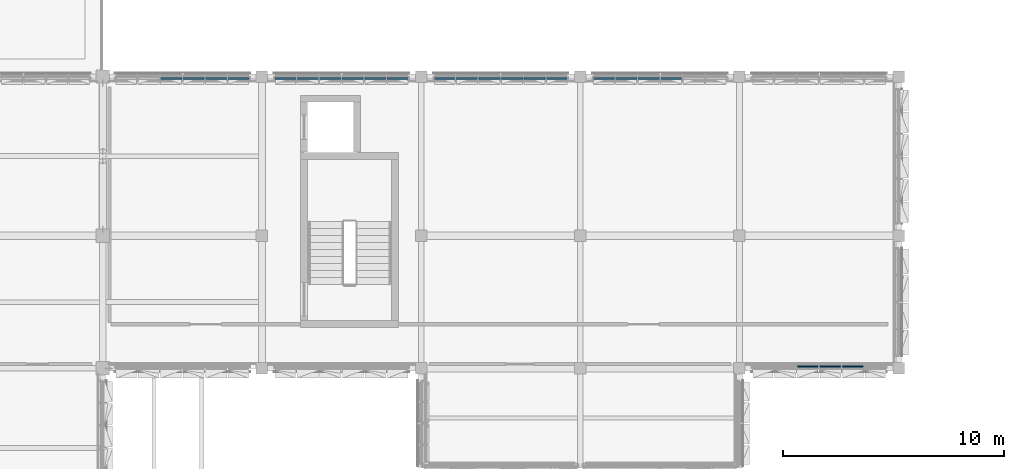
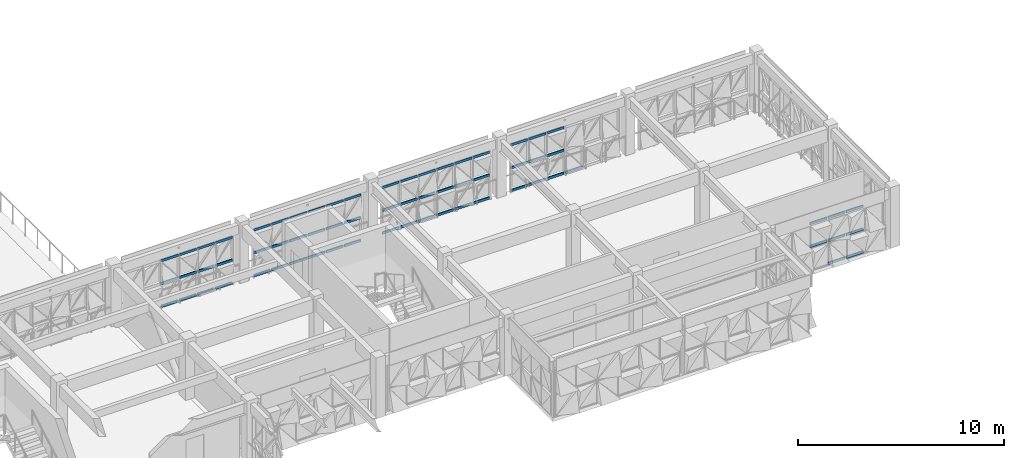
# One storey, part 25 of 99: 66 members, 5 elements without a shape of their own.
"""IFC4 building model written with IfcOpenShell, lengths in metres."""

from ifc_helpers import new_model, si_unit, direction, frame, origin, origin_2d, place, context, subcontext, project, spatial, rectangle, extrude, material, material_profile, profile_set, type_object, element, aggregate, save


model = new_model("IFC4")

# Units and contexts
model_context = context("Model", 3, precision=1e-05, world=origin(), true_north=direction((0.0, 1.0)))
body_context = subcontext(model_context, "Body", "Model", "MODEL_VIEW")
ifc_project = project(units=[si_unit("LENGTHUNIT", "METRE"), si_unit("AREAUNIT", "SQUARE_METRE"), si_unit("VOLUMEUNIT", "CUBIC_METRE"), si_unit("PLANEANGLEUNIT", "RADIAN"), si_unit("MASSUNIT", "GRAM", prefix="KILO")], contexts=[model_context])

# Site, building, storey
site_placement = place(None, origin())
site = spatial("IfcSite", under=ifc_project, at=site_placement, CompositionType="ELEMENT")
building_placement = place(site_placement, origin())
building = spatial("IfcBuilding", under=site, at=building_placement, Name="Alvorim Cloister Faculty of Sciences", CompositionType="ELEMENT")
storey_placement = place(building_placement, frame((0.0, 0.0, 12.14990234375)))
storey = spatial("IfcBuildingStorey", under=building, at=storey_placement, Name="L03", CompositionType="ELEMENT", Elevation=12.14990234375)

# Curtain wall, members
ifc_material_1 = material(Name="Aluminium and Low-E Glass Curtain Wall", Category="aluminium")
curtain_wall_type = type_object("IfcCurtainWallType", Name="CW-TRI-6120x2850", PredefinedType="USERDEFINED", material=ifc_material_1)
curtain_wall_1_placement = place(storey_placement, origin())
curtain_wall_1 = element("IfcCurtainWall", 1, at=curtain_wall_1_placement, inside=storey, type_object=curtain_wall_type, Name="L03 Diagonal Cassette Curtain Wall CW-0125", ObjectType="UNITISED CURTAIN WALL", PredefinedType="USERDEFINED")
ifc_material_2 = material(Name="Aluminium Alloy 6063-T6", Category="aluminium")
ifc_material_profile = material_profile(ifc_material_2, rectangle(XDim=0.06494140625, YDim=0.139892578125, at=origin_2d()), Name="ALU-TRN-65x140")
ifc_profile_set = profile_set([ifc_material_profile], Name="Aluminium Alloy 6063-T6")
member_type = type_object("IfcMemberType", Name="CW-TRN-65x140", PredefinedType="USERDEFINED", material=ifc_profile_set)
member_1_placement = place(storey_placement, frame((31.41259765625, 56.31005859375, 0.070068359375), z_axis=(1.0, 0.0, 0.0), x_axis=(0.0, 1.0, 0.0)))
member_1 = element("IfcMember", 2, at=member_1_placement, type_object=member_type, Name="CW-0125 Transom 3.1", ObjectType="TRANSOM", PredefinedType="USERDEFINED", context=body_context, shape_type="SweptSolid", body=[
    extrude(rectangle(XDim=0.06494140625, YDim=0.139892578125, at=origin_2d()), origin(), (0.0, 0.0, 1.0), 0.954833984375),
])
member_2_placement = place(storey_placement, frame((31.41259765625, 56.31005859375, 1.425048828125), z_axis=(1.0, 0.0, 0.0), x_axis=(0.0, 1.0, 0.0)))
member_2 = element("IfcMember", 3, at=member_2_placement, type_object=member_type, Name="CW-0125 Transom 3.2", ObjectType="TRANSOM", PredefinedType="USERDEFINED", context=body_context, shape_type="SweptSolid", body=[
    extrude(rectangle(XDim=0.06494140625, YDim=0.139892578125, at=origin_2d()), origin(), (0.0, 0.0, 1.0), 0.954833984375),
])
member_3_placement = place(storey_placement, frame((31.41259765625, 56.31005859375, 2.780029296875), z_axis=(1.0, 0.0, 0.0), x_axis=(0.0, 1.0, 0.0)))
member_3 = element("IfcMember", 4, at=member_3_placement, type_object=member_type, Name="CW-0125 Transom 3.3", ObjectType="TRANSOM", PredefinedType="USERDEFINED", context=body_context, shape_type="SweptSolid", body=[
    extrude(rectangle(XDim=0.06494140625, YDim=0.139892578125, at=origin_2d()), origin(), (0.0, 0.0, 1.0), 0.954833984375),
])
member_4_placement = place(storey_placement, frame((32.4326171875, 56.31005859375, 0.070068359375), z_axis=(1.0, 0.0, 0.0), x_axis=(0.0, 1.0, 0.0)))
member_4 = element("IfcMember", 5, at=member_4_placement, type_object=member_type, Name="CW-0125 Transom 4.1", ObjectType="TRANSOM", PredefinedType="USERDEFINED", context=body_context, shape_type="SweptSolid", body=[
    extrude(rectangle(XDim=0.06494140625, YDim=0.139892578125, at=origin_2d()), origin(), (0.0, 0.0, 1.0), 0.954833984375),
])
member_5_placement = place(storey_placement, frame((32.4326171875, 56.31005859375, 1.425048828125), z_axis=(1.0, 0.0, 0.0), x_axis=(0.0, 1.0, 0.0)))
member_5 = element("IfcMember", 6, at=member_5_placement, type_object=member_type, Name="CW-0125 Transom 4.2", ObjectType="TRANSOM", PredefinedType="USERDEFINED", context=body_context, shape_type="SweptSolid", body=[
    extrude(rectangle(XDim=0.06494140625, YDim=0.139892578125, at=origin_2d()), origin(), (0.0, 0.0, 1.0), 0.954833984375),
])
member_6_placement = place(storey_placement, frame((32.4326171875, 56.31005859375, 2.780029296875), z_axis=(1.0, 0.0, 0.0), x_axis=(0.0, 1.0, 0.0)))
member_6 = element("IfcMember", 7, at=member_6_placement, type_object=member_type, Name="CW-0125 Transom 4.3", ObjectType="TRANSOM", PredefinedType="USERDEFINED", context=body_context, shape_type="SweptSolid", body=[
    extrude(rectangle(XDim=0.06494140625, YDim=0.139892578125, at=origin_2d()), origin(), (0.0, 0.0, 1.0), 0.954833984375),
])
member_7_placement = place(storey_placement, frame((33.452392578125, 56.31005859375, 0.070068359375), z_axis=(1.0, 0.0, 0.0), x_axis=(0.0, 1.0, 0.0)))
member_7 = element("IfcMember", 8, at=member_7_placement, type_object=member_type, Name="CW-0125 Transom 5.1", ObjectType="TRANSOM", PredefinedType="USERDEFINED", context=body_context, shape_type="SweptSolid", body=[
    extrude(rectangle(XDim=0.06494140625, YDim=0.139892578125, at=origin_2d()), origin(), (0.0, 0.0, 1.0), 0.955078125),
])
member_8_placement = place(storey_placement, frame((33.452392578125, 56.31005859375, 1.425048828125), z_axis=(1.0, 0.0, 0.0), x_axis=(0.0, 1.0, 0.0)))
member_8 = element("IfcMember", 9, at=member_8_placement, type_object=member_type, Name="CW-0125 Transom 5.2", ObjectType="TRANSOM", PredefinedType="USERDEFINED", context=body_context, shape_type="SweptSolid", body=[
    extrude(rectangle(XDim=0.06494140625, YDim=0.139892578125, at=origin_2d()), origin(), (0.0, 0.0, 1.0), 0.955078125),
])
member_9_placement = place(storey_placement, frame((33.452392578125, 56.31005859375, 2.780029296875), z_axis=(1.0, 0.0, 0.0), x_axis=(0.0, 1.0, 0.0)))
member_9 = element("IfcMember", 10, at=member_9_placement, type_object=member_type, Name="CW-0125 Transom 5.3", ObjectType="TRANSOM", PredefinedType="USERDEFINED", context=body_context, shape_type="SweptSolid", body=[
    extrude(rectangle(XDim=0.06494140625, YDim=0.139892578125, at=origin_2d()), origin(), (0.0, 0.0, 1.0), 0.955078125),
])
member_10_placement = place(storey_placement, frame((34.472412109375, 56.31005859375, 0.070068359375), z_axis=(1.0, 0.0, 0.0), x_axis=(0.0, 1.0, 0.0)))
member_10 = element("IfcMember", 11, at=member_10_placement, type_object=member_type, Name="CW-0125 Transom 6.1", ObjectType="TRANSOM", PredefinedType="USERDEFINED", context=body_context, shape_type="SweptSolid", body=[
    extrude(rectangle(XDim=0.06494140625, YDim=0.139892578125, at=origin_2d()), origin(), (0.0, 0.0, 1.0), 0.922607421875),
])
member_11_placement = place(storey_placement, frame((34.472412109375, 56.31005859375, 1.425048828125), z_axis=(1.0, 0.0, 0.0), x_axis=(0.0, 1.0, 0.0)))
member_11 = element("IfcMember", 12, at=member_11_placement, type_object=member_type, Name="CW-0125 Transom 6.2", ObjectType="TRANSOM", PredefinedType="USERDEFINED", context=body_context, shape_type="SweptSolid", body=[
    extrude(rectangle(XDim=0.06494140625, YDim=0.139892578125, at=origin_2d()), origin(), (0.0, 0.0, 1.0), 0.922607421875),
])
member_12_placement = place(storey_placement, frame((34.472412109375, 56.31005859375, 2.780029296875), z_axis=(1.0, 0.0, 0.0), x_axis=(0.0, 1.0, 0.0)))
member_12 = element("IfcMember", 13, at=member_12_placement, type_object=member_type, Name="CW-0125 Transom 6.3", ObjectType="TRANSOM", PredefinedType="USERDEFINED", context=body_context, shape_type="SweptSolid", body=[
    extrude(rectangle(XDim=0.06494140625, YDim=0.139892578125, at=origin_2d()), origin(), (0.0, 0.0, 1.0), 0.922607421875),
])
aggregate(curtain_wall_1, [member_1, member_2, member_3, member_4, member_5, member_6, member_7, member_8, member_9, member_10, member_11, member_12])

curtain_wall_2_placement = place(storey_placement, origin())
curtain_wall_2 = element("IfcCurtainWall", 14, at=curtain_wall_2_placement, inside=storey, type_object=curtain_wall_type, Name="L03 Diagonal Cassette Curtain Wall CW-0126", ObjectType="UNITISED CURTAIN WALL", PredefinedType="USERDEFINED")
member_13_placement = place(storey_placement, frame((36.60498046875, 56.31005859375, 0.070068359375), z_axis=(1.0, 0.0, 0.0), x_axis=(0.0, 1.0, 0.0)))
member_13 = element("IfcMember", 15, at=member_13_placement, type_object=member_type, Name="CW-0126 Transom 1.1", ObjectType="TRANSOM", PredefinedType="USERDEFINED", context=body_context, shape_type="SweptSolid", body=[
    extrude(rectangle(XDim=0.06494140625, YDim=0.139892578125, at=origin_2d()), origin(), (0.0, 0.0, 1.0), 0.922607421875),
])
member_14_placement = place(storey_placement, frame((36.60498046875, 56.31005859375, 1.425048828125), z_axis=(1.0, 0.0, 0.0), x_axis=(0.0, 1.0, 0.0)))
member_14 = element("IfcMember", 16, at=member_14_placement, type_object=member_type, Name="CW-0126 Transom 1.2", ObjectType="TRANSOM", PredefinedType="USERDEFINED", context=body_context, shape_type="SweptSolid", body=[
    extrude(rectangle(XDim=0.06494140625, YDim=0.139892578125, at=origin_2d()), origin(), (0.0, 0.0, 1.0), 0.922607421875),
])
member_15_placement = place(storey_placement, frame((36.60498046875, 56.31005859375, 2.780029296875), z_axis=(1.0, 0.0, 0.0), x_axis=(0.0, 1.0, 0.0)))
member_15 = element("IfcMember", 17, at=member_15_placement, type_object=member_type, Name="CW-0126 Transom 1.3", ObjectType="TRANSOM", PredefinedType="USERDEFINED", context=body_context, shape_type="SweptSolid", body=[
    extrude(rectangle(XDim=0.06494140625, YDim=0.139892578125, at=origin_2d()), origin(), (0.0, 0.0, 1.0), 0.922607421875),
])
member_16_placement = place(storey_placement, frame((37.592529296875, 56.31005859375, 0.070068359375), z_axis=(1.0, 0.0, 0.0), x_axis=(0.0, 1.0, 0.0)))
member_16 = element("IfcMember", 18, at=member_16_placement, type_object=member_type, Name="CW-0126 Transom 2.1", ObjectType="TRANSOM", PredefinedType="USERDEFINED", context=body_context, shape_type="SweptSolid", body=[
    extrude(rectangle(XDim=0.06494140625, YDim=0.139892578125, at=origin_2d()), origin(), (0.0, 0.0, 1.0), 0.955078125),
])
member_17_placement = place(storey_placement, frame((37.592529296875, 56.31005859375, 1.425048828125), z_axis=(1.0, 0.0, 0.0), x_axis=(0.0, 1.0, 0.0)))
member_17 = element("IfcMember", 19, at=member_17_placement, type_object=member_type, Name="CW-0126 Transom 2.2", ObjectType="TRANSOM", PredefinedType="USERDEFINED", context=body_context, shape_type="SweptSolid", body=[
    extrude(rectangle(XDim=0.06494140625, YDim=0.139892578125, at=origin_2d()), origin(), (0.0, 0.0, 1.0), 0.955078125),
])
member_18_placement = place(storey_placement, frame((37.592529296875, 56.31005859375, 2.780029296875), z_axis=(1.0, 0.0, 0.0), x_axis=(0.0, 1.0, 0.0)))
member_18 = element("IfcMember", 20, at=member_18_placement, type_object=member_type, Name="CW-0126 Transom 2.3", ObjectType="TRANSOM", PredefinedType="USERDEFINED", context=body_context, shape_type="SweptSolid", body=[
    extrude(rectangle(XDim=0.06494140625, YDim=0.139892578125, at=origin_2d()), origin(), (0.0, 0.0, 1.0), 0.955078125),
])
member_19_placement = place(storey_placement, frame((38.612548828125, 56.31005859375, 0.070068359375), z_axis=(1.0, 0.0, 0.0), x_axis=(0.0, 1.0, 0.0)))
member_19 = element("IfcMember", 21, at=member_19_placement, type_object=member_type, Name="CW-0126 Transom 3.1", ObjectType="TRANSOM", PredefinedType="USERDEFINED", context=body_context, shape_type="SweptSolid", body=[
    extrude(rectangle(XDim=0.06494140625, YDim=0.139892578125, at=origin_2d()), origin(), (0.0, 0.0, 1.0), 0.954833984375),
])
member_20_placement = place(storey_placement, frame((38.612548828125, 56.31005859375, 1.425048828125), z_axis=(1.0, 0.0, 0.0), x_axis=(0.0, 1.0, 0.0)))
member_20 = element("IfcMember", 22, at=member_20_placement, type_object=member_type, Name="CW-0126 Transom 3.2", ObjectType="TRANSOM", PredefinedType="USERDEFINED", context=body_context, shape_type="SweptSolid", body=[
    extrude(rectangle(XDim=0.06494140625, YDim=0.139892578125, at=origin_2d()), origin(), (0.0, 0.0, 1.0), 0.954833984375),
])
member_21_placement = place(storey_placement, frame((38.612548828125, 56.31005859375, 2.780029296875), z_axis=(1.0, 0.0, 0.0), x_axis=(0.0, 1.0, 0.0)))
member_21 = element("IfcMember", 23, at=member_21_placement, type_object=member_type, Name="CW-0126 Transom 3.3", ObjectType="TRANSOM", PredefinedType="USERDEFINED", context=body_context, shape_type="SweptSolid", body=[
    extrude(rectangle(XDim=0.06494140625, YDim=0.139892578125, at=origin_2d()), origin(), (0.0, 0.0, 1.0), 0.954833984375),
])
member_22_placement = place(storey_placement, frame((39.632568359375, 56.31005859375, 0.070068359375), z_axis=(1.0, 0.0, 0.0), x_axis=(0.0, 1.0, 0.0)))
member_22 = element("IfcMember", 24, at=member_22_placement, type_object=member_type, Name="CW-0126 Transom 4.1", ObjectType="TRANSOM", PredefinedType="USERDEFINED", context=body_context, shape_type="SweptSolid", body=[
    extrude(rectangle(XDim=0.06494140625, YDim=0.139892578125, at=origin_2d()), origin(), (0.0, 0.0, 1.0), 0.954833984375),
])
member_23_placement = place(storey_placement, frame((39.632568359375, 56.31005859375, 1.425048828125), z_axis=(1.0, 0.0, 0.0), x_axis=(0.0, 1.0, 0.0)))
member_23 = element("IfcMember", 25, at=member_23_placement, type_object=member_type, Name="CW-0126 Transom 4.2", ObjectType="TRANSOM", PredefinedType="USERDEFINED", context=body_context, shape_type="SweptSolid", body=[
    extrude(rectangle(XDim=0.06494140625, YDim=0.139892578125, at=origin_2d()), origin(), (0.0, 0.0, 1.0), 0.954833984375),
])
member_24_placement = place(storey_placement, frame((39.632568359375, 56.31005859375, 2.780029296875), z_axis=(1.0, 0.0, 0.0), x_axis=(0.0, 1.0, 0.0)))
member_24 = element("IfcMember", 26, at=member_24_placement, type_object=member_type, Name="CW-0126 Transom 4.3", ObjectType="TRANSOM", PredefinedType="USERDEFINED", context=body_context, shape_type="SweptSolid", body=[
    extrude(rectangle(XDim=0.06494140625, YDim=0.139892578125, at=origin_2d()), origin(), (0.0, 0.0, 1.0), 0.954833984375),
])
member_25_placement = place(storey_placement, frame((40.652587890625, 56.31005859375, 0.070068359375), z_axis=(1.0, 0.0, 0.0), x_axis=(0.0, 1.0, 0.0)))
member_25 = element("IfcMember", 27, at=member_25_placement, type_object=member_type, Name="CW-0126 Transom 5.1", ObjectType="TRANSOM", PredefinedType="USERDEFINED", context=body_context, shape_type="SweptSolid", body=[
    extrude(rectangle(XDim=0.06494140625, YDim=0.139892578125, at=origin_2d()), origin(), (0.0, 0.0, 1.0), 0.954833984375),
])
member_26_placement = place(storey_placement, frame((40.652587890625, 56.31005859375, 1.425048828125), z_axis=(1.0, 0.0, 0.0), x_axis=(0.0, 1.0, 0.0)))
member_26 = element("IfcMember", 28, at=member_26_placement, type_object=member_type, Name="CW-0126 Transom 5.2", ObjectType="TRANSOM", PredefinedType="USERDEFINED", context=body_context, shape_type="SweptSolid", body=[
    extrude(rectangle(XDim=0.06494140625, YDim=0.139892578125, at=origin_2d()), origin(), (0.0, 0.0, 1.0), 0.954833984375),
])
member_27_placement = place(storey_placement, frame((40.652587890625, 56.31005859375, 2.780029296875), z_axis=(1.0, 0.0, 0.0), x_axis=(0.0, 1.0, 0.0)))
member_27 = element("IfcMember", 29, at=member_27_placement, type_object=member_type, Name="CW-0126 Transom 5.3", ObjectType="TRANSOM", PredefinedType="USERDEFINED", context=body_context, shape_type="SweptSolid", body=[
    extrude(rectangle(XDim=0.06494140625, YDim=0.139892578125, at=origin_2d()), origin(), (0.0, 0.0, 1.0), 0.954833984375),
])
member_28_placement = place(storey_placement, frame((41.672607421875, 56.31005859375, 0.070068359375), z_axis=(1.0, 0.0, 0.0), x_axis=(0.0, 1.0, 0.0)))
member_28 = element("IfcMember", 30, at=member_28_placement, type_object=member_type, Name="CW-0126 Transom 6.1", ObjectType="TRANSOM", PredefinedType="USERDEFINED", context=body_context, shape_type="SweptSolid", body=[
    extrude(rectangle(XDim=0.06494140625, YDim=0.139892578125, at=origin_2d()), origin(), (0.0, 0.0, 1.0), 0.92236328125),
])
member_29_placement = place(storey_placement, frame((41.672607421875, 56.31005859375, 1.425048828125), z_axis=(1.0, 0.0, 0.0), x_axis=(0.0, 1.0, 0.0)))
member_29 = element("IfcMember", 31, at=member_29_placement, type_object=member_type, Name="CW-0126 Transom 6.2", ObjectType="TRANSOM", PredefinedType="USERDEFINED", context=body_context, shape_type="SweptSolid", body=[
    extrude(rectangle(XDim=0.06494140625, YDim=0.139892578125, at=origin_2d()), origin(), (0.0, 0.0, 1.0), 0.92236328125),
])
member_30_placement = place(storey_placement, frame((41.672607421875, 56.31005859375, 2.780029296875), z_axis=(1.0, 0.0, 0.0), x_axis=(0.0, 1.0, 0.0)))
member_30 = element("IfcMember", 32, at=member_30_placement, type_object=member_type, Name="CW-0126 Transom 6.3", ObjectType="TRANSOM", PredefinedType="USERDEFINED", context=body_context, shape_type="SweptSolid", body=[
    extrude(rectangle(XDim=0.06494140625, YDim=0.139892578125, at=origin_2d()), origin(), (0.0, 0.0, 1.0), 0.92236328125),
])
aggregate(curtain_wall_2, [member_13, member_14, member_15, member_16, member_17, member_18, member_19, member_20, member_21, member_22, member_23, member_24, member_25, member_26, member_27, member_28, member_29, member_30])

curtain_wall_3_placement = place(storey_placement, origin())
curtain_wall_3 = element("IfcCurtainWall", 33, at=curtain_wall_3_placement, inside=storey, type_object=curtain_wall_type, Name="L03 Diagonal Cassette Curtain Wall CW-0127", ObjectType="UNITISED CURTAIN WALL", PredefinedType="USERDEFINED")
member_31_placement = place(storey_placement, frame((43.804931640625, 56.31005859375, 0.070068359375), z_axis=(1.0, 0.0, 0.0), x_axis=(0.0, 1.0, 0.0)))
member_31 = element("IfcMember", 34, at=member_31_placement, type_object=member_type, Name="CW-0127 Transom 1.1", ObjectType="TRANSOM", PredefinedType="USERDEFINED", context=body_context, shape_type="SweptSolid", body=[
    extrude(rectangle(XDim=0.06494140625, YDim=0.139892578125, at=origin_2d()), origin(), (0.0, 0.0, 1.0), 0.922607421875),
])
member_32_placement = place(storey_placement, frame((43.804931640625, 56.31005859375, 1.425048828125), z_axis=(1.0, 0.0, 0.0), x_axis=(0.0, 1.0, 0.0)))
member_32 = element("IfcMember", 35, at=member_32_placement, type_object=member_type, Name="CW-0127 Transom 1.2", ObjectType="TRANSOM", PredefinedType="USERDEFINED", context=body_context, shape_type="SweptSolid", body=[
    extrude(rectangle(XDim=0.06494140625, YDim=0.139892578125, at=origin_2d()), origin(), (0.0, 0.0, 1.0), 0.922607421875),
])
member_33_placement = place(storey_placement, frame((43.804931640625, 56.31005859375, 2.780029296875), z_axis=(1.0, 0.0, 0.0), x_axis=(0.0, 1.0, 0.0)))
member_33 = element("IfcMember", 36, at=member_33_placement, type_object=member_type, Name="CW-0127 Transom 1.3", ObjectType="TRANSOM", PredefinedType="USERDEFINED", context=body_context, shape_type="SweptSolid", body=[
    extrude(rectangle(XDim=0.06494140625, YDim=0.139892578125, at=origin_2d()), origin(), (0.0, 0.0, 1.0), 0.922607421875),
])
member_34_placement = place(storey_placement, frame((44.79248046875, 56.31005859375, 0.070068359375), z_axis=(1.0, 0.0, 0.0), x_axis=(0.0, 1.0, 0.0)))
member_34 = element("IfcMember", 37, at=member_34_placement, type_object=member_type, Name="CW-0127 Transom 2.1", ObjectType="TRANSOM", PredefinedType="USERDEFINED", context=body_context, shape_type="SweptSolid", body=[
    extrude(rectangle(XDim=0.06494140625, YDim=0.139892578125, at=origin_2d()), origin(), (0.0, 0.0, 1.0), 0.955078125),
])
member_35_placement = place(storey_placement, frame((44.79248046875, 56.31005859375, 1.425048828125), z_axis=(1.0, 0.0, 0.0), x_axis=(0.0, 1.0, 0.0)))
member_35 = element("IfcMember", 38, at=member_35_placement, type_object=member_type, Name="CW-0127 Transom 2.2", ObjectType="TRANSOM", PredefinedType="USERDEFINED", context=body_context, shape_type="SweptSolid", body=[
    extrude(rectangle(XDim=0.06494140625, YDim=0.139892578125, at=origin_2d()), origin(), (0.0, 0.0, 1.0), 0.955078125),
])
member_36_placement = place(storey_placement, frame((44.79248046875, 56.31005859375, 2.780029296875), z_axis=(1.0, 0.0, 0.0), x_axis=(0.0, 1.0, 0.0)))
member_36 = element("IfcMember", 39, at=member_36_placement, type_object=member_type, Name="CW-0127 Transom 2.3", ObjectType="TRANSOM", PredefinedType="USERDEFINED", context=body_context, shape_type="SweptSolid", body=[
    extrude(rectangle(XDim=0.06494140625, YDim=0.139892578125, at=origin_2d()), origin(), (0.0, 0.0, 1.0), 0.955078125),
])
member_37_placement = place(storey_placement, frame((45.8125, 56.31005859375, 0.070068359375), z_axis=(1.0, 0.0, 0.0), x_axis=(0.0, 1.0, 0.0)))
member_37 = element("IfcMember", 40, at=member_37_placement, type_object=member_type, Name="CW-0127 Transom 3.1", ObjectType="TRANSOM", PredefinedType="USERDEFINED", context=body_context, shape_type="SweptSolid", body=[
    extrude(rectangle(XDim=0.06494140625, YDim=0.139892578125, at=origin_2d()), origin(), (0.0, 0.0, 1.0), 0.955078125),
])
member_38_placement = place(storey_placement, frame((45.8125, 56.31005859375, 1.425048828125), z_axis=(1.0, 0.0, 0.0), x_axis=(0.0, 1.0, 0.0)))
member_38 = element("IfcMember", 41, at=member_38_placement, type_object=member_type, Name="CW-0127 Transom 3.2", ObjectType="TRANSOM", PredefinedType="USERDEFINED", context=body_context, shape_type="SweptSolid", body=[
    extrude(rectangle(XDim=0.06494140625, YDim=0.139892578125, at=origin_2d()), origin(), (0.0, 0.0, 1.0), 0.955078125),
])
member_39_placement = place(storey_placement, frame((45.8125, 56.31005859375, 2.780029296875), z_axis=(1.0, 0.0, 0.0), x_axis=(0.0, 1.0, 0.0)))
member_39 = element("IfcMember", 42, at=member_39_placement, type_object=member_type, Name="CW-0127 Transom 3.3", ObjectType="TRANSOM", PredefinedType="USERDEFINED", context=body_context, shape_type="SweptSolid", body=[
    extrude(rectangle(XDim=0.06494140625, YDim=0.139892578125, at=origin_2d()), origin(), (0.0, 0.0, 1.0), 0.955078125),
])
member_40_placement = place(storey_placement, frame((46.83251953125, 56.31005859375, 0.070068359375), z_axis=(1.0, 0.0, 0.0), x_axis=(0.0, 1.0, 0.0)))
member_40 = element("IfcMember", 43, at=member_40_placement, type_object=member_type, Name="CW-0127 Transom 4.1", ObjectType="TRANSOM", PredefinedType="USERDEFINED", context=body_context, shape_type="SweptSolid", body=[
    extrude(rectangle(XDim=0.06494140625, YDim=0.139892578125, at=origin_2d()), origin(), (0.0, 0.0, 1.0), 0.955078125),
])
member_41_placement = place(storey_placement, frame((46.83251953125, 56.31005859375, 1.425048828125), z_axis=(1.0, 0.0, 0.0), x_axis=(0.0, 1.0, 0.0)))
member_41 = element("IfcMember", 44, at=member_41_placement, type_object=member_type, Name="CW-0127 Transom 4.2", ObjectType="TRANSOM", PredefinedType="USERDEFINED", context=body_context, shape_type="SweptSolid", body=[
    extrude(rectangle(XDim=0.06494140625, YDim=0.139892578125, at=origin_2d()), origin(), (0.0, 0.0, 1.0), 0.955078125),
])
member_42_placement = place(storey_placement, frame((46.83251953125, 56.31005859375, 2.780029296875), z_axis=(1.0, 0.0, 0.0), x_axis=(0.0, 1.0, 0.0)))
member_42 = element("IfcMember", 45, at=member_42_placement, type_object=member_type, Name="CW-0127 Transom 4.3", ObjectType="TRANSOM", PredefinedType="USERDEFINED", context=body_context, shape_type="SweptSolid", body=[
    extrude(rectangle(XDim=0.06494140625, YDim=0.139892578125, at=origin_2d()), origin(), (0.0, 0.0, 1.0), 0.955078125),
])
member_43_placement = place(storey_placement, frame((47.8525390625, 56.31005859375, 0.070068359375), z_axis=(1.0, 0.0, 0.0), x_axis=(0.0, 1.0, 0.0)))
member_43 = element("IfcMember", 46, at=member_43_placement, type_object=member_type, Name="CW-0127 Transom 5.1", ObjectType="TRANSOM", PredefinedType="USERDEFINED", context=body_context, shape_type="SweptSolid", body=[
    extrude(rectangle(XDim=0.06494140625, YDim=0.139892578125, at=origin_2d()), origin(), (0.0, 0.0, 1.0), 0.955078125),
])
member_44_placement = place(storey_placement, frame((47.8525390625, 56.31005859375, 1.425048828125), z_axis=(1.0, 0.0, 0.0), x_axis=(0.0, 1.0, 0.0)))
member_44 = element("IfcMember", 47, at=member_44_placement, type_object=member_type, Name="CW-0127 Transom 5.2", ObjectType="TRANSOM", PredefinedType="USERDEFINED", context=body_context, shape_type="SweptSolid", body=[
    extrude(rectangle(XDim=0.06494140625, YDim=0.139892578125, at=origin_2d()), origin(), (0.0, 0.0, 1.0), 0.955078125),
])
member_45_placement = place(storey_placement, frame((47.8525390625, 56.31005859375, 2.780029296875), z_axis=(1.0, 0.0, 0.0), x_axis=(0.0, 1.0, 0.0)))
member_45 = element("IfcMember", 48, at=member_45_placement, type_object=member_type, Name="CW-0127 Transom 5.3", ObjectType="TRANSOM", PredefinedType="USERDEFINED", context=body_context, shape_type="SweptSolid", body=[
    extrude(rectangle(XDim=0.06494140625, YDim=0.139892578125, at=origin_2d()), origin(), (0.0, 0.0, 1.0), 0.955078125),
])
member_46_placement = place(storey_placement, frame((48.87255859375, 56.31005859375, 0.070068359375), z_axis=(1.0, 0.0, 0.0), x_axis=(0.0, 1.0, 0.0)))
member_46 = element("IfcMember", 49, at=member_46_placement, type_object=member_type, Name="CW-0127 Transom 6.1", ObjectType="TRANSOM", PredefinedType="USERDEFINED", context=body_context, shape_type="SweptSolid", body=[
    extrude(rectangle(XDim=0.06494140625, YDim=0.139892578125, at=origin_2d()), origin(), (0.0, 0.0, 1.0), 0.92236328125),
])
member_47_placement = place(storey_placement, frame((48.87255859375, 56.31005859375, 1.425048828125), z_axis=(1.0, 0.0, 0.0), x_axis=(0.0, 1.0, 0.0)))
member_47 = element("IfcMember", 50, at=member_47_placement, type_object=member_type, Name="CW-0127 Transom 6.2", ObjectType="TRANSOM", PredefinedType="USERDEFINED", context=body_context, shape_type="SweptSolid", body=[
    extrude(rectangle(XDim=0.06494140625, YDim=0.139892578125, at=origin_2d()), origin(), (0.0, 0.0, 1.0), 0.92236328125),
])
member_48_placement = place(storey_placement, frame((48.87255859375, 56.31005859375, 2.780029296875), z_axis=(1.0, 0.0, 0.0), x_axis=(0.0, 1.0, 0.0)))
member_48 = element("IfcMember", 51, at=member_48_placement, type_object=member_type, Name="CW-0127 Transom 6.3", ObjectType="TRANSOM", PredefinedType="USERDEFINED", context=body_context, shape_type="SweptSolid", body=[
    extrude(rectangle(XDim=0.06494140625, YDim=0.139892578125, at=origin_2d()), origin(), (0.0, 0.0, 1.0), 0.92236328125),
])
aggregate(curtain_wall_3, [member_31, member_32, member_33, member_34, member_35, member_36, member_37, member_38, member_39, member_40, member_41, member_42, member_43, member_44, member_45, member_46, member_47, member_48])

curtain_wall_4_placement = place(storey_placement, origin())
curtain_wall_4 = element("IfcCurtainWall", 52, at=curtain_wall_4_placement, inside=storey, type_object=curtain_wall_type, Name="L03 Diagonal Cassette Curtain Wall CW-0128", ObjectType="UNITISED CURTAIN WALL", PredefinedType="USERDEFINED")
member_49_placement = place(storey_placement, frame((51.0048828125, 56.31005859375, 0.070068359375), z_axis=(1.0, 0.0, 0.0), x_axis=(0.0, 1.0, 0.0)))
member_49 = element("IfcMember", 53, at=member_49_placement, type_object=member_type, Name="CW-0128 Transom 1.1", ObjectType="TRANSOM", PredefinedType="USERDEFINED", context=body_context, shape_type="SweptSolid", body=[
    extrude(rectangle(XDim=0.06494140625, YDim=0.139892578125, at=origin_2d()), origin(), (0.0, 0.0, 1.0), 0.922607421875),
])
member_50_placement = place(storey_placement, frame((51.0048828125, 56.31005859375, 1.425048828125), z_axis=(1.0, 0.0, 0.0), x_axis=(0.0, 1.0, 0.0)))
member_50 = element("IfcMember", 54, at=member_50_placement, type_object=member_type, Name="CW-0128 Transom 1.2", ObjectType="TRANSOM", PredefinedType="USERDEFINED", context=body_context, shape_type="SweptSolid", body=[
    extrude(rectangle(XDim=0.06494140625, YDim=0.139892578125, at=origin_2d()), origin(), (0.0, 0.0, 1.0), 0.922607421875),
])
member_51_placement = place(storey_placement, frame((51.0048828125, 56.31005859375, 2.780029296875), z_axis=(1.0, 0.0, 0.0), x_axis=(0.0, 1.0, 0.0)))
member_51 = element("IfcMember", 55, at=member_51_placement, type_object=member_type, Name="CW-0128 Transom 1.3", ObjectType="TRANSOM", PredefinedType="USERDEFINED", context=body_context, shape_type="SweptSolid", body=[
    extrude(rectangle(XDim=0.06494140625, YDim=0.139892578125, at=origin_2d()), origin(), (0.0, 0.0, 1.0), 0.922607421875),
])
member_52_placement = place(storey_placement, frame((51.992431640625, 56.31005859375, 0.070068359375), z_axis=(1.0, 0.0, 0.0), x_axis=(0.0, 1.0, 0.0)))
member_52 = element("IfcMember", 56, at=member_52_placement, type_object=member_type, Name="CW-0128 Transom 2.1", ObjectType="TRANSOM", PredefinedType="USERDEFINED", context=body_context, shape_type="SweptSolid", body=[
    extrude(rectangle(XDim=0.06494140625, YDim=0.139892578125, at=origin_2d()), origin(), (0.0, 0.0, 1.0), 0.955078125),
])
member_53_placement = place(storey_placement, frame((51.992431640625, 56.31005859375, 1.425048828125), z_axis=(1.0, 0.0, 0.0), x_axis=(0.0, 1.0, 0.0)))
member_53 = element("IfcMember", 57, at=member_53_placement, type_object=member_type, Name="CW-0128 Transom 2.2", ObjectType="TRANSOM", PredefinedType="USERDEFINED", context=body_context, shape_type="SweptSolid", body=[
    extrude(rectangle(XDim=0.06494140625, YDim=0.139892578125, at=origin_2d()), origin(), (0.0, 0.0, 1.0), 0.955078125),
])
member_54_placement = place(storey_placement, frame((51.992431640625, 56.31005859375, 2.780029296875), z_axis=(1.0, 0.0, 0.0), x_axis=(0.0, 1.0, 0.0)))
member_54 = element("IfcMember", 58, at=member_54_placement, type_object=member_type, Name="CW-0128 Transom 2.3", ObjectType="TRANSOM", PredefinedType="USERDEFINED", context=body_context, shape_type="SweptSolid", body=[
    extrude(rectangle(XDim=0.06494140625, YDim=0.139892578125, at=origin_2d()), origin(), (0.0, 0.0, 1.0), 0.955078125),
])
member_55_placement = place(storey_placement, frame((53.012451171875, 56.31005859375, 0.070068359375), z_axis=(1.0, 0.0, 0.0), x_axis=(0.0, 1.0, 0.0)))
member_55 = element("IfcMember", 59, at=member_55_placement, type_object=member_type, Name="CW-0128 Transom 3.1", ObjectType="TRANSOM", PredefinedType="USERDEFINED", context=body_context, shape_type="SweptSolid", body=[
    extrude(rectangle(XDim=0.06494140625, YDim=0.139892578125, at=origin_2d()), origin(), (0.0, 0.0, 1.0), 0.955078125),
])
member_56_placement = place(storey_placement, frame((53.012451171875, 56.31005859375, 1.425048828125), z_axis=(1.0, 0.0, 0.0), x_axis=(0.0, 1.0, 0.0)))
member_56 = element("IfcMember", 60, at=member_56_placement, type_object=member_type, Name="CW-0128 Transom 3.2", ObjectType="TRANSOM", PredefinedType="USERDEFINED", context=body_context, shape_type="SweptSolid", body=[
    extrude(rectangle(XDim=0.06494140625, YDim=0.139892578125, at=origin_2d()), origin(), (0.0, 0.0, 1.0), 0.955078125),
])
member_57_placement = place(storey_placement, frame((53.012451171875, 56.31005859375, 2.780029296875), z_axis=(1.0, 0.0, 0.0), x_axis=(0.0, 1.0, 0.0)))
member_57 = element("IfcMember", 61, at=member_57_placement, type_object=member_type, Name="CW-0128 Transom 3.3", ObjectType="TRANSOM", PredefinedType="USERDEFINED", context=body_context, shape_type="SweptSolid", body=[
    extrude(rectangle(XDim=0.06494140625, YDim=0.139892578125, at=origin_2d()), origin(), (0.0, 0.0, 1.0), 0.955078125),
])
member_58_placement = place(storey_placement, frame((54.032470703125, 56.31005859375, 0.070068359375), z_axis=(1.0, 0.0, 0.0), x_axis=(0.0, 1.0, 0.0)))
member_58 = element("IfcMember", 62, at=member_58_placement, type_object=member_type, Name="CW-0128 Transom 4.1", ObjectType="TRANSOM", PredefinedType="USERDEFINED", context=body_context, shape_type="SweptSolid", body=[
    extrude(rectangle(XDim=0.06494140625, YDim=0.139892578125, at=origin_2d()), origin(), (0.0, 0.0, 1.0), 0.955078125),
])
aggregate(curtain_wall_4, [member_49, member_50, member_51, member_52, member_53, member_54, member_55, member_56, member_57, member_58])

curtain_wall_5_placement = place(storey_placement, origin())
curtain_wall_5 = element("IfcCurtainWall", 63, at=curtain_wall_5_placement, inside=storey, type_object=curtain_wall_type, Name="L03 Diagonal Cassette Curtain Wall CW-0132", ObjectType="UNITISED CURTAIN WALL", PredefinedType="USERDEFINED")
member_59_placement = place(storey_placement, frame((60.21240234375, 43.2900390625, 1.425048828125), z_axis=(1.0, 0.0, 0.0), x_axis=(0.0, 1.0, 0.0)))
member_59 = element("IfcMember", 64, at=member_59_placement, type_object=member_type, Name="CW-0132 Transom 3.2", ObjectType="TRANSOM", PredefinedType="USERDEFINED", context=body_context, shape_type="SweptSolid", body=[
    extrude(rectangle(XDim=0.06494140625, YDim=0.139892578125, at=origin_2d()), origin(), (0.0, 0.0, 1.0), 0.955078125),
])
member_60_placement = place(storey_placement, frame((60.21240234375, 43.2900390625, 2.780029296875), z_axis=(1.0, 0.0, 0.0), x_axis=(0.0, 1.0, 0.0)))
member_60 = element("IfcMember", 65, at=member_60_placement, type_object=member_type, Name="CW-0132 Transom 3.3", ObjectType="TRANSOM", PredefinedType="USERDEFINED", context=body_context, shape_type="SweptSolid", body=[
    extrude(rectangle(XDim=0.06494140625, YDim=0.139892578125, at=origin_2d()), origin(), (0.0, 0.0, 1.0), 0.955078125),
])
member_61_placement = place(storey_placement, frame((61.232421875, 43.2900390625, 0.070068359375), z_axis=(1.0, 0.0, 0.0), x_axis=(0.0, 1.0, 0.0)))
member_61 = element("IfcMember", 66, at=member_61_placement, type_object=member_type, Name="CW-0132 Transom 4.1", ObjectType="TRANSOM", PredefinedType="USERDEFINED", context=body_context, shape_type="SweptSolid", body=[
    extrude(rectangle(XDim=0.06494140625, YDim=0.139892578125, at=origin_2d()), origin(), (0.0, 0.0, 1.0), 0.955078125),
])
member_62_placement = place(storey_placement, frame((61.232421875, 43.2900390625, 1.425048828125), z_axis=(1.0, 0.0, 0.0), x_axis=(0.0, 1.0, 0.0)))
member_62 = element("IfcMember", 67, at=member_62_placement, type_object=member_type, Name="CW-0132 Transom 4.2", ObjectType="TRANSOM", PredefinedType="USERDEFINED", context=body_context, shape_type="SweptSolid", body=[
    extrude(rectangle(XDim=0.06494140625, YDim=0.139892578125, at=origin_2d()), origin(), (0.0, 0.0, 1.0), 0.955078125),
])
member_63_placement = place(storey_placement, frame((61.232421875, 43.2900390625, 2.780029296875), z_axis=(1.0, 0.0, 0.0), x_axis=(0.0, 1.0, 0.0)))
member_63 = element("IfcMember", 68, at=member_63_placement, type_object=member_type, Name="CW-0132 Transom 4.3", ObjectType="TRANSOM", PredefinedType="USERDEFINED", context=body_context, shape_type="SweptSolid", body=[
    extrude(rectangle(XDim=0.06494140625, YDim=0.139892578125, at=origin_2d()), origin(), (0.0, 0.0, 1.0), 0.955078125),
])
member_64_placement = place(storey_placement, frame((62.25244140625, 43.2900390625, 0.070068359375), z_axis=(1.0, 0.0, 0.0), x_axis=(0.0, 1.0, 0.0)))
member_64 = element("IfcMember", 69, at=member_64_placement, type_object=member_type, Name="CW-0132 Transom 5.1", ObjectType="TRANSOM", PredefinedType="USERDEFINED", context=body_context, shape_type="SweptSolid", body=[
    extrude(rectangle(XDim=0.06494140625, YDim=0.139892578125, at=origin_2d()), origin(), (0.0, 0.0, 1.0), 0.955078125),
])
member_65_placement = place(storey_placement, frame((62.25244140625, 43.2900390625, 1.425048828125), z_axis=(1.0, 0.0, 0.0), x_axis=(0.0, 1.0, 0.0)))
member_65 = element("IfcMember", 70, at=member_65_placement, type_object=member_type, Name="CW-0132 Transom 5.2", ObjectType="TRANSOM", PredefinedType="USERDEFINED", context=body_context, shape_type="SweptSolid", body=[
    extrude(rectangle(XDim=0.06494140625, YDim=0.139892578125, at=origin_2d()), origin(), (0.0, 0.0, 1.0), 0.955078125),
])
member_66_placement = place(storey_placement, frame((62.25244140625, 43.2900390625, 2.780029296875), z_axis=(1.0, 0.0, 0.0), x_axis=(0.0, 1.0, 0.0)))
member_66 = element("IfcMember", 71, at=member_66_placement, type_object=member_type, Name="CW-0132 Transom 5.3", ObjectType="TRANSOM", PredefinedType="USERDEFINED", context=body_context, shape_type="SweptSolid", body=[
    extrude(rectangle(XDim=0.06494140625, YDim=0.139892578125, at=origin_2d()), origin(), (0.0, 0.0, 1.0), 0.955078125),
])
aggregate(curtain_wall_5, [member_59, member_60, member_61, member_62, member_63, member_64, member_65, member_66])

save(model, "model.ifc")
